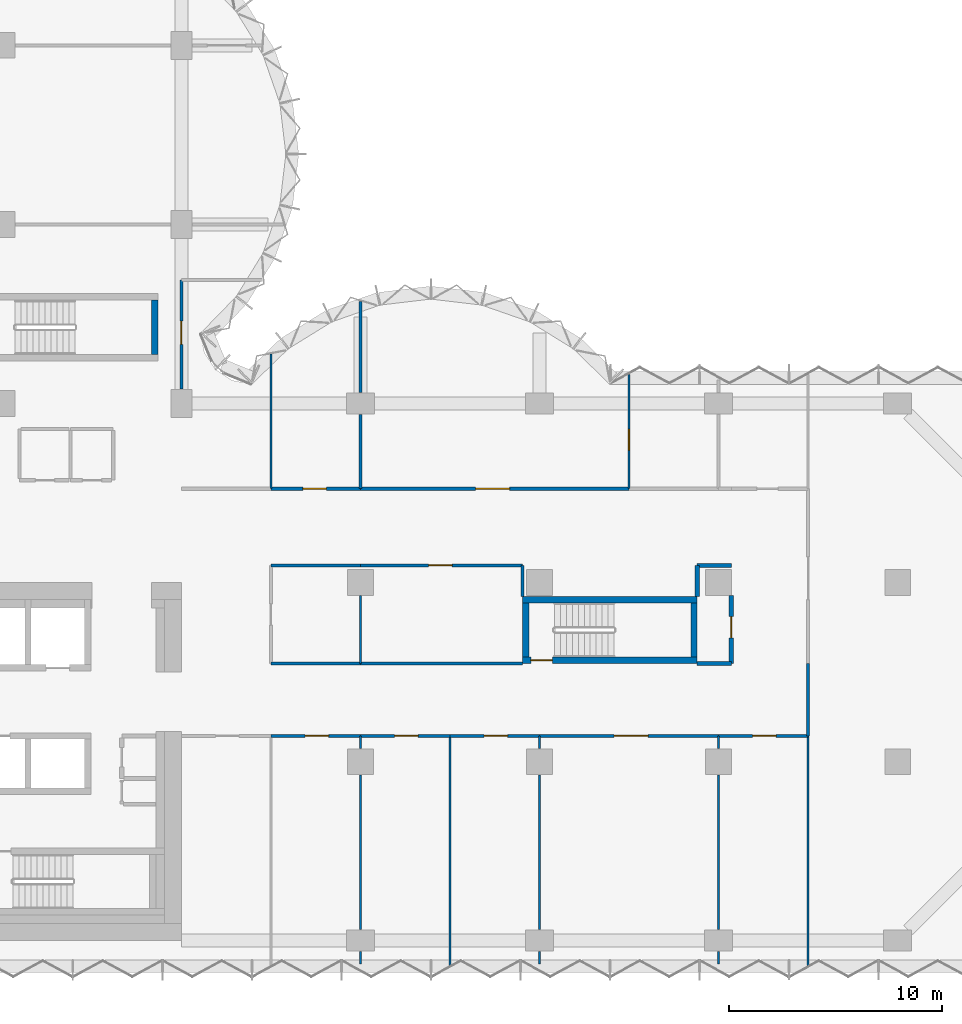
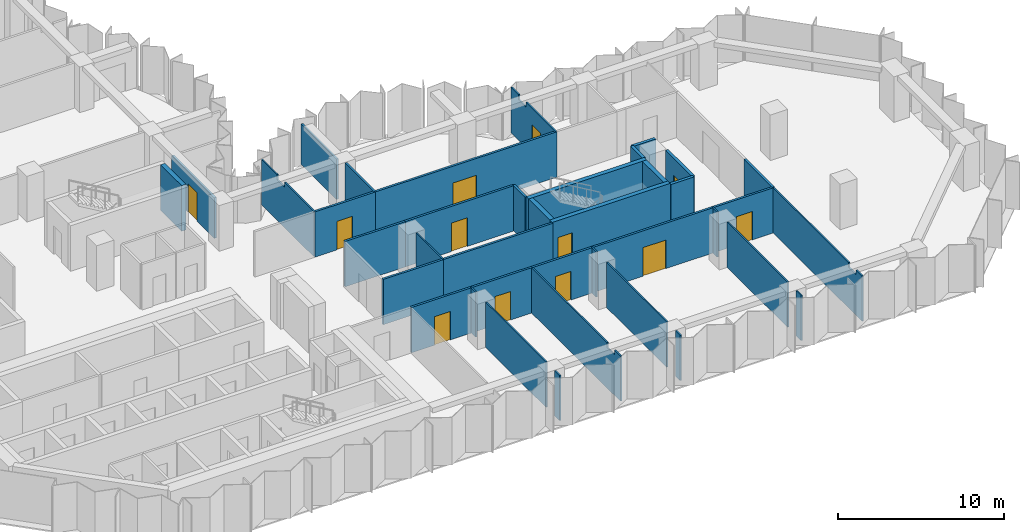
# One storey, part 9 of 13: 39 walls, 12 doors, 12 openings.
"""IFC4 building model written with IfcOpenShell, lengths in metres."""

from ifc_helpers import new_model, si_unit, direction, frame, frame_2d, origin, place, context, subcontext, project, spatial, polyline, rectangle, outline, extrude, material, layer, layer_set, type_object, element, fill, save


model = new_model("IFC4")

# Units and contexts
model_context = context("Model", 3, precision=1e-05, world=origin(), true_north=direction((0.0, 1.0)))
body_context = subcontext(model_context, "Body", "Model", "MODEL_VIEW")
ifc_project = project(units=[si_unit("LENGTHUNIT", "METRE"), si_unit("AREAUNIT", "SQUARE_METRE"), si_unit("VOLUMEUNIT", "CUBIC_METRE"), si_unit("PLANEANGLEUNIT", "RADIAN"), si_unit("MASSUNIT", "GRAM", prefix="KILO")], contexts=[model_context])

# Site, building, storey
site_placement = place(None, origin())
site = spatial("IfcSite", under=ifc_project, at=site_placement, CompositionType="ELEMENT")
building_placement = place(site_placement, origin())
building = spatial("IfcBuilding", under=site, at=building_placement, Name="Brevane Broadcast Tower", CompositionType="ELEMENT")
storey_placement = place(building_placement, frame((0.0, 0.0, 127.699951171875)))
storey = spatial("IfcBuildingStorey", under=building, at=storey_placement, Name="L31", CompositionType="ELEMENT", Elevation=127.699951171875)

# Wall
ifc_material_1 = material(Name="Concrete C60/75", Category="concrete")
ifc_layer_1 = layer(ifc_material_1, 0.300048828125)
ifc_layer_set_1 = layer_set([ifc_layer_1], Name="Core wall 300 mm C60/75")
wall_type_1 = type_object("IfcWallType", Name="Core wall 300 mm C60/75", PredefinedType="SHEAR", material=ifc_layer_set_1)
wall_1_placement = place(storey_placement, frame((23.949951171875, 27.5, 0.0), z_axis=(0.0, 0.0, 1.0), x_axis=(0.0, 1.0, 0.0)))
element("IfcWall", 1, at=wall_1_placement, inside=storey, type_object=wall_type_1, Name="L31 stair wall ST-3-E", PredefinedType="SHEAR", context=body_context, shape_type="SweptSolid", body=[
    extrude(rectangle(XDim=2.550048828125, YDim=0.300048828125, at=frame_2d((1.27490234375, 0.0))), origin(), (0.0, 0.0, 1.0), 3.35009765625),
])

# Wall, opening, door
wall_2_placement = place(storey_placement, frame((49.39990234375, 13.14990234375, 0.0), z_axis=(0.0, 0.0, 1.0), x_axis=(-1.0, 0.0, 0.0)))
wall_2 = element("IfcWall", 2, at=wall_2_placement, inside=storey, type_object=wall_type_1, Name="L31 stair wall ST-4-S", PredefinedType="SHEAR", context=body_context, shape_type="SweptSolid", body=[
    extrude(rectangle(XDim=8.199951171875, YDim=0.300048828125, at=frame_2d((4.10009765625, 0.0))), origin(), (0.0, 0.0, 1.0), 3.35009765625),
])
opening_1_placement = place(wall_2_placement, frame((6.800048828125, 0.0, 0.0)))
opening_1 = element("IfcOpeningElement", 3, at=opening_1_placement, cuts=wall_2, Name="Opening L31-K15", PredefinedType="OPENING", context=body_context, shape_type="SweptSolid", body=[
    extrude(rectangle(XDim=1.0, YDim=2.10009765625, at=frame_2d((0.5, 1.050048828125))), frame((0.0, 0.159912109375, 0.0), z_axis=(0.0, -1.0, 0.0), x_axis=(1.0, 0.0, 0.0)), (0.0, 0.0, 1.0), 0.320068359375),
])
ifc_material_2 = material(Name="Steel", Category="steel")
door_type_1 = type_object("IfcDoorType", Name="Stair door 1000 x 2100", OperationType="SINGLE_SWING_LEFT", PredefinedType="DOOR", material=ifc_material_2)
door_1_placement = place(opening_1_placement, origin())
door_1 = element("IfcDoor", 4, at=door_1_placement, inside=storey, type_object=door_type_1, Name="Door L31-K15", OperationType="SINGLE_SWING_RIGHT", OverallHeight=2.10009765625, OverallWidth=1.0, PredefinedType="DOOR", context=body_context, shape_type="SweptSolid", body=[
    extrude(rectangle(XDim=1.0, YDim=2.10009765625, at=frame_2d((0.5, 1.050048828125))), frame((0.0, 0.02490234375, 0.0), z_axis=(0.0, -1.0, 0.0), x_axis=(1.0, 0.0, 0.0)), (0.0, 0.0, 1.0), 0.050048828125),
])
fill(opening_1, door_1)

# Walls
wall_3_placement = place(storey_placement, frame((41.199951171875, 16.0, 0.0), z_axis=(0.0, 0.0, 1.0), x_axis=(1.0, 0.0, 0.0)))
element("IfcWall", 5, at=wall_3_placement, inside=storey, type_object=wall_type_1, Name="L31 stair wall ST-4-N", PredefinedType="SHEAR", context=body_context, shape_type="SweptSolid", body=[
    extrude(rectangle(XDim=8.199951171875, YDim=0.300048828125, at=frame_2d((4.10009765625, 0.0))), origin(), (0.0, 0.0, 1.0), 3.35009765625),
])
for number, where, z_axis, x_axis, name in (
    (6, (41.35009765625, 13.300048828125, 0.0), (0.0, 0.0, 1.0), (0.0, 1.0, 0.0), "L31 stair wall ST-4-W"),
    (7, (49.25, 13.300048828125, 0.0), (0.0, 0.0, 1.0), (0.0, 1.0, 0.0), "L31 stair wall ST-4-E"),
):
    element("IfcWall", number, at=place(storey_placement, frame(where, z_axis=z_axis, x_axis=x_axis)), inside=storey, type_object=wall_type_1, Name=name, PredefinedType="SHEAR", context=body_context, shape_type="SweptSolid", body=[
        extrude(rectangle(XDim=2.550048828125, YDim=0.300048828125, at=frame_2d((1.27490234375, 0.0))), origin(), (0.0, 0.0, 1.0), 3.35009765625),
    ])
ifc_material_3 = material(Name="Gypsum board partition")
ifc_layer_2 = layer(ifc_material_3, 0.10009765625)
ifc_layer_set_2 = layer_set([ifc_layer_2], Name="PARTITION 100 STUD")
wall_type_2 = type_object("IfcWallType", Name="PARTITION 100 STUD", PredefinedType="PARTITIONING", material=ifc_layer_set_2)
wall_4_placement = place(storey_placement, frame((29.39990234375, 27.510986328125, 0.0), z_axis=(0.0, 0.0, 1.0), x_axis=(0.0, -1.0, 0.0)))
element("IfcWall", 8, at=wall_4_placement, inside=storey, type_object=wall_type_2, Name="Partition G09-004", PredefinedType="PARTITIONING", context=body_context, shape_type="SweptSolid", body=[
    extrude(outline(polyline([(0.0, 0.0), (6.31103515625, 0.0), (6.31103515625, 3.330078125), (2.760986328125, 3.330078125), (2.759033203125, 2.97998046875), (1.863037109375, 2.97998046875), (1.861083984375, 3.330078125), (0.236083984375, 3.330078125), (0.0, 3.330078125), (0.0, 0.0)])), frame((0.0, 0.050048828125, 0.0), z_axis=(0.0, -1.0, 0.0), x_axis=(1.0, 0.0, 0.0)), (0.0, 0.0, 1.0), 0.10009765625),
])
wall_5_placement = place(storey_placement, frame((54.60009765625, -1.174072265625, 0.0), z_axis=(0.0, 0.0, 1.0), x_axis=(0.0, 1.0, 0.0)))
element("IfcWall", 9, at=wall_5_placement, inside=storey, type_object=wall_type_2, Name="Partition G09-017", PredefinedType="PARTITIONING", context=body_context, shape_type="SweptSolid", body=[
    extrude(outline(polyline([(0.0, 0.0), (10.774169921875, 0.0), (10.77392578125, 3.330078125), (1.6240234375, 3.330078125), (1.6220703125, 2.97998046875), (0.72607421875, 2.97998046875), (0.72412109375, 3.330078125), (0.073974609375, 3.330078125), (0.0, 3.330078125), (0.0, 0.0)])), frame((0.0, 0.050048828125, 0.0), z_axis=(0.0, -1.0, 0.0), x_axis=(1.0, 0.0, 0.0)), (0.0, 0.0, 1.0), 0.10009765625),
])
wall_6_placement = place(storey_placement, frame((33.60009765625, 16.179931640625, 0.0), z_axis=(0.0, 0.0, 1.0), x_axis=(0.0, -1.0, 0.0)))
element("IfcWall", 10, at=wall_6_placement, inside=storey, type_object=wall_type_2, Name="Partition G09-030", PredefinedType="PARTITIONING", context=body_context, shape_type="SweptSolid", body=[
    extrude(rectangle(XDim=3.179931640625, YDim=0.10009765625, at=frame_2d((1.58984375, 0.0))), origin(), (0.0, 0.0, 1.0), 3.330078125),
])
wall_7_placement = place(storey_placement, frame((33.60009765625, 9.60009765625, 0.0), z_axis=(0.0, 0.0, 1.0), x_axis=(0.0, -1.0, 0.0)))
element("IfcWall", 11, at=wall_7_placement, inside=storey, type_object=wall_type_2, Name="Partition G09-032", PredefinedType="PARTITIONING", context=body_context, shape_type="SweptSolid", body=[
    extrude(rectangle(XDim=0.580078125, YDim=0.10009765625, at=frame_2d((0.2900390625, 0.0))), origin(), (0.0, 0.0, 1.0), 3.330078125),
])
wall_8_placement = place(storey_placement, frame((33.60009765625, 7.780029296875, 0.0), z_axis=(0.0, 0.0, 1.0), x_axis=(0.0, -1.0, 0.0)))
element("IfcWall", 12, at=wall_8_placement, inside=storey, type_object=wall_type_2, Name="Partition G09-033", PredefinedType="PARTITIONING", context=body_context, shape_type="SweptSolid", body=[
    extrude(rectangle(XDim=7.260009765625, YDim=0.10009765625, at=frame_2d((3.6298828125, 0.0))), origin(), (0.0, 0.0, 1.0), 3.330078125),
])
wall_9_placement = place(storey_placement, frame((33.60009765625, -0.52001953125, 0.0), z_axis=(0.0, 0.0, 1.0), x_axis=(0.0, -1.0, 0.0)))
element("IfcWall", 13, at=wall_9_placement, inside=storey, type_object=wall_type_2, Name="Partition G09-034", PredefinedType="PARTITIONING", context=body_context, shape_type="SweptSolid", body=[
    extrude(rectangle(XDim=0.580078125, YDim=0.10009765625, at=frame_2d((0.2900390625, 0.0))), origin(), (0.0, 0.0, 1.0), 3.330078125),
])
wall_10_placement = place(storey_placement, frame((37.800048828125, 9.60009765625, 0.0), z_axis=(0.0, 0.0, 1.0), x_axis=(0.0, -1.0, 0.0)))
element("IfcWall", 14, at=wall_10_placement, inside=storey, type_object=wall_type_2, Name="Partition G09-035", PredefinedType="PARTITIONING", context=body_context, shape_type="SweptSolid", body=[
    extrude(outline(polyline([(0.0, 0.0), (10.774169921875, 0.0), (10.77392578125, 3.330078125), (10.699951171875, 3.330078125), (10.050048828125, 3.330078125), (10.048095703125, 2.97998046875), (9.152099609375, 2.97998046875), (9.14990234375, 3.330078125), (0.0, 3.330078125), (0.0, 0.0)])), frame((0.0, 0.050048828125, 0.0), z_axis=(0.0, -1.0, 0.0), x_axis=(1.0, 0.0, 0.0)), (0.0, 0.0, 1.0), 0.10009765625),
])
wall_11_placement = place(storey_placement, frame((42.0, 9.60009765625, 0.0), z_axis=(0.0, 0.0, 1.0), x_axis=(0.0, -1.0, 0.0)))
element("IfcWall", 15, at=wall_11_placement, inside=storey, type_object=wall_type_2, Name="Partition G09-036", PredefinedType="PARTITIONING", context=body_context, shape_type="SweptSolid", body=[
    extrude(rectangle(XDim=0.580078125, YDim=0.10009765625, at=frame_2d((0.2900390625, 0.0))), origin(), (0.0, 0.0, 1.0), 3.330078125),
])
wall_12_placement = place(storey_placement, frame((42.0, 7.780029296875, 0.0), z_axis=(0.0, 0.0, 1.0), x_axis=(0.0, -1.0, 0.0)))
element("IfcWall", 16, at=wall_12_placement, inside=storey, type_object=wall_type_2, Name="Partition G09-037", PredefinedType="PARTITIONING", context=body_context, shape_type="SweptSolid", body=[
    extrude(rectangle(XDim=7.260009765625, YDim=0.10009765625, at=frame_2d((3.6298828125, 0.0))), origin(), (0.0, 0.0, 1.0), 3.330078125),
])
for number, where, z_axis, x_axis, name in (
    (17, (42.0, -0.52001953125, 0.0), (0.0, 0.0, 1.0), (0.0, -1.0, 0.0), "Partition G09-038"),
    (18, (50.39990234375, 9.60009765625, 0.0), (0.0, 0.0, 1.0), (0.0, -1.0, 0.0), "Partition G09-039"),
):
    element("IfcWall", number, at=place(storey_placement, frame(where, z_axis=z_axis, x_axis=x_axis)), inside=storey, type_object=wall_type_2, Name=name, PredefinedType="PARTITIONING", context=body_context, shape_type="SweptSolid", body=[
        extrude(rectangle(XDim=0.580078125, YDim=0.10009765625, at=frame_2d((0.2900390625, 0.0))), origin(), (0.0, 0.0, 1.0), 3.330078125),
    ])
wall_13_placement = place(storey_placement, frame((50.39990234375, 7.780029296875, 0.0), z_axis=(0.0, 0.0, 1.0), x_axis=(0.0, -1.0, 0.0)))
element("IfcWall", 19, at=wall_13_placement, inside=storey, type_object=wall_type_2, Name="Partition G09-040", PredefinedType="PARTITIONING", context=body_context, shape_type="SweptSolid", body=[
    extrude(rectangle(XDim=7.260009765625, YDim=0.10009765625, at=frame_2d((3.6298828125, 0.0))), origin(), (0.0, 0.0, 1.0), 3.330078125),
])
wall_14_placement = place(storey_placement, frame((50.39990234375, -0.52001953125, 0.0), z_axis=(0.0, 0.0, 1.0), x_axis=(0.0, -1.0, 0.0)))
element("IfcWall", 20, at=wall_14_placement, inside=storey, type_object=wall_type_2, Name="Partition G09-041", PredefinedType="PARTITIONING", context=body_context, shape_type="SweptSolid", body=[
    extrude(rectangle(XDim=0.580078125, YDim=0.10009765625, at=frame_2d((0.2900390625, 0.0))), origin(), (0.0, 0.0, 1.0), 3.330078125),
])

# Wall, opening, door
wall_15_placement = place(storey_placement, frame((46.199951171875, 26.56494140625, 0.0), z_axis=(0.0, 0.0, 1.0), x_axis=(0.0, -1.0, 0.0)))
wall_15 = element("IfcWall", 21, at=wall_15_placement, inside=storey, type_object=wall_type_2, Name="Partition G09-044", PredefinedType="PARTITIONING", context=body_context, shape_type="SweptSolid", body=[
    extrude(outline(polyline([(0.0, 0.0), (5.364990234375, 0.0), (5.364990234375, 3.330078125), (1.81494140625, 3.330078125), (1.81298828125, 2.97998046875), (0.9169921875, 2.97998046875), (0.9150390625, 3.330078125), (0.264892578125, 3.330078125), (0.0, 3.330078125), (0.0, 0.0)])), frame((0.0, 0.050048828125, 0.0), z_axis=(0.0, -1.0, 0.0), x_axis=(1.0, 0.0, 0.0)), (0.0, 0.0, 1.0), 0.10009765625),
])
opening_2_placement = place(wall_15_placement, frame((2.56494140625, 0.0, 0.0)))
opening_2 = element("IfcOpeningElement", 22, at=opening_2_placement, cuts=wall_15, Name="Opening D16-014", PredefinedType="OPENING", context=body_context, shape_type="SweptSolid", body=[
    extrude(rectangle(XDim=1.0, YDim=2.10009765625, at=frame_2d((0.5, 1.050048828125))), frame((0.0, 0.06005859375, 0.0), z_axis=(0.0, -1.0, 0.0), x_axis=(1.0, 0.0, 0.0)), (0.0, 0.0, 1.0), 0.1201171875),
])
ifc_material_4 = material(Name="Timber door leaf", Category="wood")
door_type_2 = type_object("IfcDoorType", Name="DOOR SINGLE 1000 INTERNAL", OperationType="SINGLE_SWING_LEFT", PredefinedType="DOOR", material=ifc_material_4)
door_2_placement = place(opening_2_placement, origin())
door_2 = element("IfcDoor", 23, at=door_2_placement, inside=storey, type_object=door_type_2, Name="Door D16-014", OperationType="SINGLE_SWING_LEFT", OverallHeight=2.10009765625, OverallWidth=1.0, PredefinedType="DOOR", context=body_context, shape_type="SweptSolid", body=[
    extrude(rectangle(XDim=1.0, YDim=2.10009765625, at=frame_2d((0.5, 1.050048828125))), frame((0.0, 0.02490234375, 0.0), z_axis=(0.0, -1.0, 0.0), x_axis=(1.0, 0.0, 0.0)), (0.0, 0.0, 1.0), 0.050048828125),
])
fill(opening_2, door_2)

# Walls
ifc_layer_3 = layer(ifc_material_3, 0.125)
ifc_layer_set_3 = layer_set([ifc_layer_3], Name="PARTITION 125 ACOUSTIC")
wall_type_3 = type_object("IfcWallType", Name="PARTITION 125 ACOUSTIC", PredefinedType="PARTITIONING", material=ifc_layer_set_3)
wall_16_placement = place(storey_placement, frame((33.60009765625, 29.98828125, 0.0), z_axis=(0.0, 0.0, 1.0), x_axis=(0.0, -1.0, 0.0)))
element("IfcWall", 24, at=wall_16_placement, inside=storey, type_object=wall_type_3, Name="Partition G09-042", PredefinedType="PARTITIONING", context=body_context, shape_type="SweptSolid", body=[
    extrude(rectangle(XDim=4.268310546875, YDim=0.125, at=frame_2d((2.13427734375, 0.0))), origin(), (0.0, 0.0, 1.0), 2.97998046875),
])
wall_17_placement = place(storey_placement, frame((33.60009765625, 24.679931640625, 0.0), z_axis=(0.0, 0.0, 1.0), x_axis=(0.0, -1.0, 0.0)))
element("IfcWall", 25, at=wall_17_placement, inside=storey, type_object=wall_type_3, Name="Partition G09-043", PredefinedType="PARTITIONING", context=body_context, shape_type="SweptSolid", body=[
    extrude(rectangle(XDim=3.47998046875, YDim=0.125, at=frame_2d((1.739990234375, 0.0))), origin(), (0.0, 0.0, 1.0), 3.330078125),
])

# Wall, opening, door
ifc_layer_4 = layer(ifc_material_3, 0.14990234375)
ifc_layer_set_4 = layer_set([ifc_layer_4], Name="PARTITION 150 EI 60")
wall_type_4 = type_object("IfcWallType", Name="PARTITION 150 EI 60", PredefinedType="PARTITIONING", material=ifc_layer_set_4)
wall_18_placement = place(storey_placement, frame((25.199951171875, 31.0, 0.0), z_axis=(0.0, 0.0, 1.0), x_axis=(0.0, -1.0, 0.0)))
wall_18 = element("IfcWall", 26, at=wall_18_placement, inside=storey, type_object=wall_type_4, Name="Partition G09-005", PredefinedType="PARTITIONING", context=body_context, shape_type="SweptSolid", body=[
    extrude(outline(polyline([(0.0, 0.0), (5.1298828125, 0.0), (5.1298828125, 2.97998046875), (0.0, 2.97998046875), (0.0, 0.0)])), frame((0.0, 0.074951171875, 0.0), z_axis=(0.0, -1.0, 0.0), x_axis=(1.0, 0.0, 0.0)), (0.0, 0.0, 1.0), 0.14990234375),
])
opening_3_placement = place(wall_18_placement, frame((1.929931640625, 0.0, 0.0)))
opening_3 = element("IfcOpeningElement", 27, at=opening_3_placement, cuts=wall_18, Name="Opening D16-001", PredefinedType="OPENING", context=body_context, shape_type="SweptSolid", body=[
    extrude(rectangle(XDim=1.10009765625, YDim=2.10009765625, at=frame_2d((0.550048828125, 1.050048828125))), frame((0.0, 0.0849609375, 0.0), z_axis=(0.0, -1.0, 0.0), x_axis=(1.0, 0.0, 0.0)), (0.0, 0.0, 1.0), 0.169921875),
])
ifc_material_5 = material(Name="Fire-rated timber door leaf", Category="wood")
door_type_3 = type_object("IfcDoorType", Name="DOOR SINGLE 1100 FD30S", OperationType="SINGLE_SWING_LEFT", PredefinedType="DOOR", material=ifc_material_5)
door_3_placement = place(opening_3_placement, origin())
door_3 = element("IfcDoor", 28, at=door_3_placement, inside=storey, type_object=door_type_3, Name="Door D16-001", OperationType="SINGLE_SWING_RIGHT", OverallHeight=2.10009765625, OverallWidth=1.10009765625, PredefinedType="DOOR", context=body_context, shape_type="SweptSolid", body=[
    extrude(rectangle(XDim=1.10009765625, YDim=2.10009765625, at=frame_2d((0.550048828125, 1.050048828125))), frame((0.0, 0.02490234375, 0.0), z_axis=(0.0, -1.0, 0.0), x_axis=(1.0, 0.0, 0.0)), (0.0, 0.0, 1.0), 0.050048828125),
])
fill(opening_3, door_3)

# Walls
wall_19_placement = place(storey_placement, frame((54.60009765625, 13.0, 0.0), z_axis=(0.0, 0.0, 1.0), x_axis=(0.0, -1.0, 0.0)))
element("IfcWall", 29, at=wall_19_placement, inside=storey, type_object=wall_type_4, Name="Partition G09-007", PredefinedType="PARTITIONING", context=body_context, shape_type="SweptSolid", body=[
    extrude(rectangle(XDim=3.39990234375, YDim=0.14990234375, at=frame_2d((1.699951171875, 0.0))), origin(), (0.0, 0.0, 1.0), 3.330078125),
])
wall_20_placement = place(storey_placement, frame((29.39990234375, 13.0, 0.0), z_axis=(0.0, 0.0, 1.0), x_axis=(1.0, 0.0, 0.0)))
element("IfcWall", 30, at=wall_20_placement, inside=storey, type_object=wall_type_4, Name="Partition G09-008", PredefinedType="PARTITIONING", context=body_context, shape_type="SweptSolid", body=[
    extrude(rectangle(XDim=4.2001953125, YDim=0.14990234375, at=frame_2d((2.10009765625, 0.0))), origin(), (0.0, 0.0, 1.0), 3.330078125),
])
wall_21_placement = place(storey_placement, frame((33.60009765625, 13.0, 0.0), z_axis=(0.0, 0.0, 1.0), x_axis=(1.0, 0.0, 0.0)))
element("IfcWall", 31, at=wall_21_placement, inside=storey, type_object=wall_type_4, Name="Partition G09-009", PredefinedType="PARTITIONING", context=body_context, shape_type="SweptSolid", body=[
    extrude(rectangle(XDim=7.599853515625, YDim=0.14990234375, at=frame_2d((3.7998046875, 0.0))), origin(), (0.0, 0.0, 1.0), 3.330078125),
])

# Wall, opening, door
wall_22_placement = place(storey_placement, frame((33.60009765625, 9.60009765625, 0.0), z_axis=(0.0, 0.0, 1.0), x_axis=(-1.0, 0.0, 0.0)))
wall_22 = element("IfcWall", 32, at=wall_22_placement, inside=storey, type_object=wall_type_4, Name="Partition G09-011", PredefinedType="PARTITIONING", context=body_context, shape_type="SweptSolid", body=[
    extrude(rectangle(XDim=4.2001953125, YDim=0.14990234375, at=frame_2d((2.10009765625, 0.0))), origin(), (0.0, 0.0, 1.0), 3.330078125),
])
opening_4_placement = place(wall_22_placement, frame((1.5, 0.0, 0.0)))
opening_4 = element("IfcOpeningElement", 33, at=opening_4_placement, cuts=wall_22, Name="Opening D16-007", PredefinedType="OPENING", context=body_context, shape_type="SweptSolid", body=[
    extrude(rectangle(XDim=1.10009765625, YDim=2.10009765625, at=frame_2d((0.550048828125, 1.050048828125))), frame((0.0, 0.0849609375, 0.0), z_axis=(0.0, -1.0, 0.0), x_axis=(1.0, 0.0, 0.0)), (0.0, 0.0, 1.0), 0.169921875),
])
door_4_placement = place(opening_4_placement, origin())
door_4 = element("IfcDoor", 34, at=door_4_placement, inside=storey, type_object=door_type_3, Name="Door D16-007", OperationType="SINGLE_SWING_LEFT", OverallHeight=2.10009765625, OverallWidth=1.10009765625, PredefinedType="DOOR", context=body_context, shape_type="SweptSolid", body=[
    extrude(rectangle(XDim=1.10009765625, YDim=2.10009765625, at=frame_2d((0.550048828125, 1.050048828125))), frame((0.0, 0.02490234375, 0.0), z_axis=(0.0, -1.0, 0.0), x_axis=(1.0, 0.0, 0.0)), (0.0, 0.0, 1.0), 0.050048828125),
])
fill(opening_4, door_4)

wall_23_placement = place(storey_placement, frame((37.800048828125, 9.60009765625, 0.0), z_axis=(0.0, 0.0, 1.0), x_axis=(-1.0, 0.0, 0.0)))
wall_23 = element("IfcWall", 35, at=wall_23_placement, inside=storey, type_object=wall_type_4, Name="Partition G09-012", PredefinedType="PARTITIONING", context=body_context, shape_type="SweptSolid", body=[
    extrude(rectangle(XDim=4.199951171875, YDim=0.14990234375, at=frame_2d((2.10009765625, 0.0))), origin(), (0.0, 0.0, 1.0), 3.330078125),
])
opening_5_placement = place(wall_23_placement, frame((1.5, 0.0, 0.0)))
opening_5 = element("IfcOpeningElement", 36, at=opening_5_placement, cuts=wall_23, Name="Opening D16-008", PredefinedType="OPENING", context=body_context, shape_type="SweptSolid", body=[
    extrude(rectangle(XDim=1.10009765625, YDim=2.10009765625, at=frame_2d((0.550048828125, 1.050048828125))), frame((0.0, 0.0849609375, 0.0), z_axis=(0.0, -1.0, 0.0), x_axis=(1.0, 0.0, 0.0)), (0.0, 0.0, 1.0), 0.169921875),
])
door_5_placement = place(opening_5_placement, origin())
door_5 = element("IfcDoor", 37, at=door_5_placement, inside=storey, type_object=door_type_3, Name="Door D16-008", OperationType="SINGLE_SWING_LEFT", OverallHeight=2.10009765625, OverallWidth=1.10009765625, PredefinedType="DOOR", context=body_context, shape_type="SweptSolid", body=[
    extrude(rectangle(XDim=1.10009765625, YDim=2.10009765625, at=frame_2d((0.550048828125, 1.050048828125))), frame((0.0, 0.02490234375, 0.0), z_axis=(0.0, -1.0, 0.0), x_axis=(1.0, 0.0, 0.0)), (0.0, 0.0, 1.0), 0.050048828125),
])
fill(opening_5, door_5)

wall_24_placement = place(storey_placement, frame((42.0, 9.60009765625, 0.0), z_axis=(0.0, 0.0, 1.0), x_axis=(-1.0, 0.0, 0.0)))
wall_24 = element("IfcWall", 38, at=wall_24_placement, inside=storey, type_object=wall_type_4, Name="Partition G09-013", PredefinedType="PARTITIONING", context=body_context, shape_type="SweptSolid", body=[
    extrude(rectangle(XDim=4.199951171875, YDim=0.14990234375, at=frame_2d((2.10009765625, 0.0))), origin(), (0.0, 0.0, 1.0), 3.330078125),
])
opening_6_placement = place(wall_24_placement, frame((1.5, 0.0, 0.0)))
opening_6 = element("IfcOpeningElement", 39, at=opening_6_placement, cuts=wall_24, Name="Opening D16-009", PredefinedType="OPENING", context=body_context, shape_type="SweptSolid", body=[
    extrude(rectangle(XDim=1.10009765625, YDim=2.10009765625, at=frame_2d((0.550048828125, 1.050048828125))), frame((0.0, 0.0849609375, 0.0), z_axis=(0.0, -1.0, 0.0), x_axis=(1.0, 0.0, 0.0)), (0.0, 0.0, 1.0), 0.169921875),
])
door_6_placement = place(opening_6_placement, origin())
door_6 = element("IfcDoor", 40, at=door_6_placement, inside=storey, type_object=door_type_3, Name="Door D16-009", OperationType="SINGLE_SWING_LEFT", OverallHeight=2.10009765625, OverallWidth=1.10009765625, PredefinedType="DOOR", context=body_context, shape_type="SweptSolid", body=[
    extrude(rectangle(XDim=1.10009765625, YDim=2.10009765625, at=frame_2d((0.550048828125, 1.050048828125))), frame((0.0, 0.02490234375, 0.0), z_axis=(0.0, -1.0, 0.0), x_axis=(1.0, 0.0, 0.0)), (0.0, 0.0, 1.0), 0.050048828125),
])
fill(opening_6, door_6)

wall_25_placement = place(storey_placement, frame((50.39990234375, 9.60009765625, 0.0), z_axis=(0.0, 0.0, 1.0), x_axis=(-1.0, 0.0, 0.0)))
wall_25 = element("IfcWall", 41, at=wall_25_placement, inside=storey, type_object=wall_type_4, Name="Partition G09-014", PredefinedType="PARTITIONING", context=body_context, shape_type="SweptSolid", body=[
    extrude(rectangle(XDim=8.39990234375, YDim=0.14990234375, at=frame_2d((4.199951171875, 0.0))), origin(), (0.0, 0.0, 1.0), 3.330078125),
])
opening_7_placement = place(wall_25_placement, frame((3.300048828125, 0.0, 0.0)))
opening_7 = element("IfcOpeningElement", 42, at=opening_7_placement, cuts=wall_25, Name="Opening D16-010", PredefinedType="OPENING", context=body_context, shape_type="SweptSolid", body=[
    extrude(rectangle(XDim=1.60009765625, YDim=2.10009765625, at=frame_2d((0.800048828125, 1.050048828125))), frame((0.0, 0.0849609375, 0.0), z_axis=(0.0, -1.0, 0.0), x_axis=(1.0, 0.0, 0.0)), (0.0, 0.0, 1.0), 0.169921875),
])
door_type_4 = type_object("IfcDoorType", Name="DOOR DOUBLE 1600 FD30S", OperationType="DOUBLE_DOOR_SINGLE_SWING", PredefinedType="DOOR", material=ifc_material_5)
door_7_placement = place(opening_7_placement, origin())
door_7 = element("IfcDoor", 43, at=door_7_placement, inside=storey, type_object=door_type_4, Name="Door D16-010", OperationType="DOUBLE_DOOR_SINGLE_SWING", OverallHeight=2.10009765625, OverallWidth=1.60009765625, PredefinedType="DOOR", context=body_context, shape_type="SweptSolid", body=[
    extrude(rectangle(XDim=1.60009765625, YDim=2.10009765625, at=frame_2d((0.800048828125, 1.050048828125))), frame((0.0, 0.02490234375, 0.0), z_axis=(0.0, -1.0, 0.0), x_axis=(1.0, 0.0, 0.0)), (0.0, 0.0, 1.0), 0.050048828125),
])
fill(opening_7, door_7)

wall_26_placement = place(storey_placement, frame((54.60009765625, 9.60009765625, 0.0), z_axis=(0.0, 0.0, 1.0), x_axis=(-1.0, 0.0, 0.0)))
wall_26 = element("IfcWall", 44, at=wall_26_placement, inside=storey, type_object=wall_type_4, Name="Partition G09-015", PredefinedType="PARTITIONING", context=body_context, shape_type="SweptSolid", body=[
    extrude(rectangle(XDim=4.2001953125, YDim=0.14990234375, at=frame_2d((2.10009765625, 0.0))), origin(), (0.0, 0.0, 1.0), 3.330078125),
])
opening_8_placement = place(wall_26_placement, frame((1.5, 0.0, 0.0)))
opening_8 = element("IfcOpeningElement", 45, at=opening_8_placement, cuts=wall_26, Name="Opening D16-011", PredefinedType="OPENING", context=body_context, shape_type="SweptSolid", body=[
    extrude(rectangle(XDim=1.10009765625, YDim=2.10009765625, at=frame_2d((0.550048828125, 1.050048828125))), frame((0.0, 0.0849609375, 0.0), z_axis=(0.0, -1.0, 0.0), x_axis=(1.0, 0.0, 0.0)), (0.0, 0.0, 1.0), 0.169921875),
])
door_8_placement = place(opening_8_placement, origin())
door_8 = element("IfcDoor", 46, at=door_8_placement, inside=storey, type_object=door_type_3, Name="Door D16-011", OperationType="SINGLE_SWING_LEFT", OverallHeight=2.10009765625, OverallWidth=1.10009765625, PredefinedType="DOOR", context=body_context, shape_type="SweptSolid", body=[
    extrude(rectangle(XDim=1.10009765625, YDim=2.10009765625, at=frame_2d((0.550048828125, 1.050048828125))), frame((0.0, 0.02490234375, 0.0), z_axis=(0.0, -1.0, 0.0), x_axis=(1.0, 0.0, 0.0)), (0.0, 0.0, 1.0), 0.050048828125),
])
fill(opening_8, door_8)

# Walls
wall_27_placement = place(storey_placement, frame((33.60009765625, 17.60009765625, 0.0), z_axis=(0.0, 0.0, 1.0), x_axis=(-1.0, 0.0, 0.0)))
element("IfcWall", 47, at=wall_27_placement, inside=storey, type_object=wall_type_4, Name="Partition G09-019", PredefinedType="PARTITIONING", context=body_context, shape_type="SweptSolid", body=[
    extrude(rectangle(XDim=4.2001953125, YDim=0.14990234375, at=frame_2d((2.10009765625, 0.0))), origin(), (0.0, 0.0, 1.0), 3.330078125),
])
wall_28_placement = place(storey_placement, frame((41.199951171875, 16.14990234375, 0.0), z_axis=(0.0, 0.0, 1.0), x_axis=(0.0, 1.0, 0.0)))
element("IfcWall", 48, at=wall_28_placement, inside=storey, type_object=wall_type_4, Name="Partition G09-020", PredefinedType="PARTITIONING", context=body_context, shape_type="SweptSolid", body=[
    extrude(rectangle(XDim=1.4501953125, YDim=0.14990234375, at=frame_2d((0.72509765625, 0.0))), origin(), (0.0, 0.0, 1.0), 3.330078125),
])

# Wall, opening, door
wall_29_placement = place(storey_placement, frame((41.199951171875, 17.60009765625, 0.0), z_axis=(0.0, 0.0, 1.0), x_axis=(-1.0, 0.0, 0.0)))
wall_29 = element("IfcWall", 49, at=wall_29_placement, inside=storey, type_object=wall_type_4, Name="Partition G09-021", PredefinedType="PARTITIONING", context=body_context, shape_type="SweptSolid", body=[
    extrude(rectangle(XDim=7.599853515625, YDim=0.14990234375, at=frame_2d((3.7998046875, 0.0))), origin(), (0.0, 0.0, 1.0), 3.330078125),
])
opening_9_placement = place(wall_29_placement, frame((3.300048828125, 0.0, 0.0)))
opening_9 = element("IfcOpeningElement", 50, at=opening_9_placement, cuts=wall_29, Name="Opening D16-004", PredefinedType="OPENING", context=body_context, shape_type="SweptSolid", body=[
    extrude(rectangle(XDim=1.10009765625, YDim=2.10009765625, at=frame_2d((0.550048828125, 1.050048828125))), frame((0.0, 0.0849609375, 0.0), z_axis=(0.0, -1.0, 0.0), x_axis=(1.0, 0.0, 0.0)), (0.0, 0.0, 1.0), 0.169921875),
])
door_9_placement = place(opening_9_placement, origin())
door_9 = element("IfcDoor", 51, at=door_9_placement, inside=storey, type_object=door_type_3, Name="Door D16-004", OperationType="SINGLE_SWING_LEFT", OverallHeight=2.10009765625, OverallWidth=1.10009765625, PredefinedType="DOOR", context=body_context, shape_type="SweptSolid", body=[
    extrude(rectangle(XDim=1.10009765625, YDim=2.10009765625, at=frame_2d((0.550048828125, 1.050048828125))), frame((0.0, 0.02490234375, 0.0), z_axis=(0.0, -1.0, 0.0), x_axis=(1.0, 0.0, 0.0)), (0.0, 0.0, 1.0), 0.050048828125),
])
fill(opening_9, door_9)

wall_30_placement = place(storey_placement, frame((29.39990234375, 21.199951171875, 0.0), z_axis=(0.0, 0.0, 1.0), x_axis=(1.0, 0.0, 0.0)))
wall_30 = element("IfcWall", 52, at=wall_30_placement, inside=storey, type_object=wall_type_4, Name="Partition G09-024", PredefinedType="PARTITIONING", context=body_context, shape_type="SweptSolid", body=[
    extrude(rectangle(XDim=4.2001953125, YDim=0.14990234375, at=frame_2d((2.10009765625, 0.0))), origin(), (0.0, 0.0, 1.0), 3.330078125),
])
opening_10_placement = place(wall_30_placement, frame((1.5, 0.0, 0.0)))
opening_10 = element("IfcOpeningElement", 53, at=opening_10_placement, cuts=wall_30, Name="Opening D16-012", PredefinedType="OPENING", context=body_context, shape_type="SweptSolid", body=[
    extrude(rectangle(XDim=1.10009765625, YDim=2.10009765625, at=frame_2d((0.550048828125, 1.050048828125))), frame((0.0, 0.0849609375, 0.0), z_axis=(0.0, -1.0, 0.0), x_axis=(1.0, 0.0, 0.0)), (0.0, 0.0, 1.0), 0.169921875),
])
door_10_placement = place(opening_10_placement, origin())
door_10 = element("IfcDoor", 54, at=door_10_placement, inside=storey, type_object=door_type_3, Name="Door D16-012", OperationType="SINGLE_SWING_LEFT", OverallHeight=2.10009765625, OverallWidth=1.10009765625, PredefinedType="DOOR", context=body_context, shape_type="SweptSolid", body=[
    extrude(rectangle(XDim=1.10009765625, YDim=2.10009765625, at=frame_2d((0.550048828125, 1.050048828125))), frame((0.0, 0.02490234375, 0.0), z_axis=(0.0, -1.0, 0.0), x_axis=(1.0, 0.0, 0.0)), (0.0, 0.0, 1.0), 0.050048828125),
])
fill(opening_10, door_10)

wall_31_placement = place(storey_placement, frame((33.60009765625, 21.199951171875, 0.0), z_axis=(0.0, 0.0, 1.0), x_axis=(1.0, 0.0, 0.0)))
wall_31 = element("IfcWall", 55, at=wall_31_placement, inside=storey, type_object=wall_type_4, Name="Partition G09-025", PredefinedType="PARTITIONING", context=body_context, shape_type="SweptSolid", body=[
    extrude(rectangle(XDim=12.599853515625, YDim=0.14990234375, at=frame_2d((6.2998046875, 0.0))), origin(), (0.0, 0.0, 1.0), 3.330078125),
])
opening_11_placement = place(wall_31_placement, frame((5.39990234375, 0.0, 0.0)))
opening_11 = element("IfcOpeningElement", 56, at=opening_11_placement, cuts=wall_31, Name="Opening D16-013", PredefinedType="OPENING", context=body_context, shape_type="SweptSolid", body=[
    extrude(rectangle(XDim=1.60009765625, YDim=2.10009765625, at=frame_2d((0.800048828125, 1.050048828125))), frame((0.0, 0.0849609375, 0.0), z_axis=(0.0, -1.0, 0.0), x_axis=(1.0, 0.0, 0.0)), (0.0, 0.0, 1.0), 0.169921875),
])
door_11_placement = place(opening_11_placement, origin())
door_11 = element("IfcDoor", 57, at=door_11_placement, inside=storey, type_object=door_type_4, Name="Door D16-013", OperationType="DOUBLE_DOOR_SINGLE_SWING", OverallHeight=2.10009765625, OverallWidth=1.60009765625, PredefinedType="DOOR", context=body_context, shape_type="SweptSolid", body=[
    extrude(rectangle(XDim=1.60009765625, YDim=2.10009765625, at=frame_2d((0.800048828125, 1.050048828125))), frame((0.0, 0.02490234375, 0.0), z_axis=(0.0, -1.0, 0.0), x_axis=(1.0, 0.0, 0.0)), (0.0, 0.0, 1.0), 0.050048828125),
])
fill(opening_11, door_11)

# Walls
ifc_layer_5 = layer(ifc_material_3, 0.199951171875)
ifc_layer_set_5 = layer_set([ifc_layer_5], Name="PARTITION 200 EI 120")
wall_type_5 = type_object("IfcWallType", Name="PARTITION 200 EI 120", PredefinedType="PARTITIONING", material=ifc_layer_set_5)
for number, where, z_axis, x_axis, name in (
    (58, (49.39990234375, 13.0, 0.0), (0.0, 0.0, 1.0), (1.0, 0.0, 0.0), "Partition G09-010"),
    (59, (51.0, 17.60009765625, 0.0), (0.0, 0.0, 1.0), (-1.0, 0.0, 0.0), "Partition G09-022"),
):
    element("IfcWall", number, at=place(storey_placement, frame(where, z_axis=z_axis, x_axis=x_axis)), inside=storey, type_object=wall_type_5, Name=name, PredefinedType="PARTITIONING", context=body_context, shape_type="SweptSolid", body=[
        extrude(rectangle(XDim=1.60009765625, YDim=0.199951171875, at=frame_2d((0.800048828125, 0.0))), origin(), (0.0, 0.0, 1.0), 3.330078125),
    ])
wall_32_placement = place(storey_placement, frame((49.39990234375, 17.60009765625, 0.0), z_axis=(0.0, 0.0, 1.0), x_axis=(0.0, -1.0, 0.0)))
element("IfcWall", 60, at=wall_32_placement, inside=storey, type_object=wall_type_5, Name="Partition G09-023", PredefinedType="PARTITIONING", context=body_context, shape_type="SweptSolid", body=[
    extrude(rectangle(XDim=1.4501953125, YDim=0.199951171875, at=frame_2d((0.72509765625, 0.0))), origin(), (0.0, 0.0, 1.0), 3.330078125),
])

# Wall, opening, door
wall_33_placement = place(storey_placement, frame((51.0, 13.0, 0.0), z_axis=(0.0, 0.0, 1.0), x_axis=(0.0, 1.0, 0.0)))
wall_33 = element("IfcWall", 61, at=wall_33_placement, inside=storey, type_object=wall_type_5, Name="Partition G09-028", PredefinedType="PARTITIONING", context=body_context, shape_type="SweptSolid", body=[
    extrude(rectangle(XDim=3.179931640625, YDim=0.199951171875, at=frame_2d((1.58984375, 0.0))), origin(), (0.0, 0.0, 1.0), 3.330078125),
])
opening_12_placement = place(wall_33_placement, frame((1.199951171875, 0.0, 0.0)))
opening_12 = element("IfcOpeningElement", 62, at=opening_12_placement, cuts=wall_33, Name="Opening D16-005", PredefinedType="OPENING", context=body_context, shape_type="SweptSolid", body=[
    extrude(rectangle(XDim=1.0, YDim=2.10009765625, at=frame_2d((0.5, 1.050048828125))), frame((0.0, 0.10986328125, 0.0), z_axis=(0.0, -1.0, 0.0), x_axis=(1.0, 0.0, 0.0)), (0.0, 0.0, 1.0), 0.219970703125),
])
door_type_5 = type_object("IfcDoorType", Name="DOOR SINGLE 1000 FD60", OperationType="SINGLE_SWING_LEFT", PredefinedType="DOOR", material=ifc_material_5)
door_12_placement = place(opening_12_placement, origin())
door_12 = element("IfcDoor", 63, at=door_12_placement, inside=storey, type_object=door_type_5, Name="Door D16-005", OperationType="SINGLE_SWING_LEFT", OverallHeight=2.10009765625, OverallWidth=1.0, PredefinedType="DOOR", context=body_context, shape_type="SweptSolid", body=[
    extrude(rectangle(XDim=1.0, YDim=2.10009765625, at=frame_2d((0.5, 1.050048828125))), frame((0.0, 0.02490234375, 0.0), z_axis=(0.0, -1.0, 0.0), x_axis=(1.0, 0.0, 0.0)), (0.0, 0.0, 1.0), 0.050048828125),
])
fill(opening_12, door_12)

save(model, "model.ifc")
